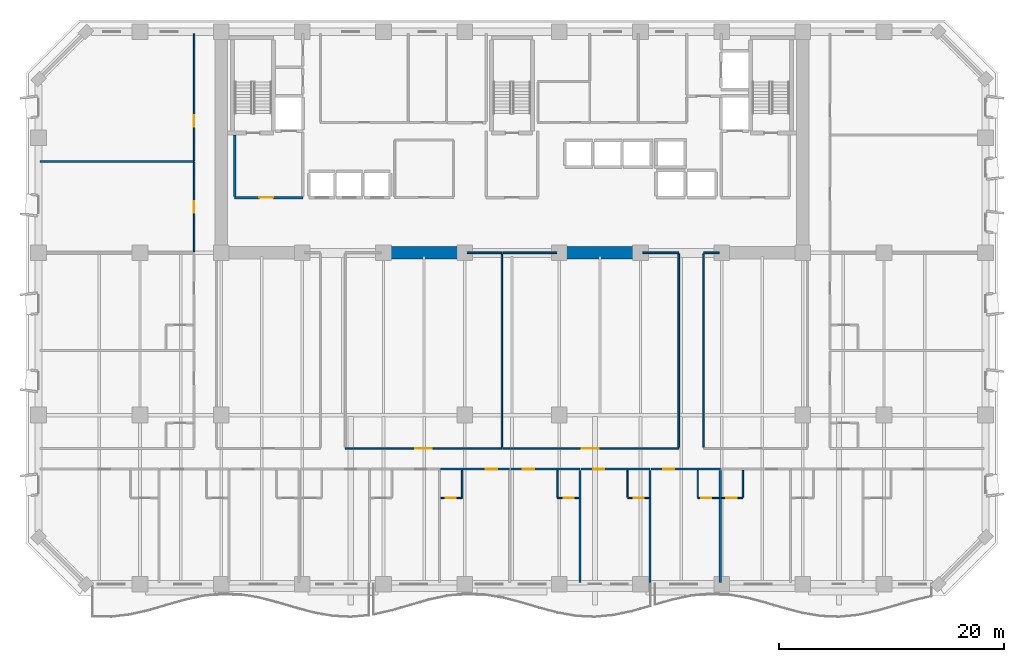
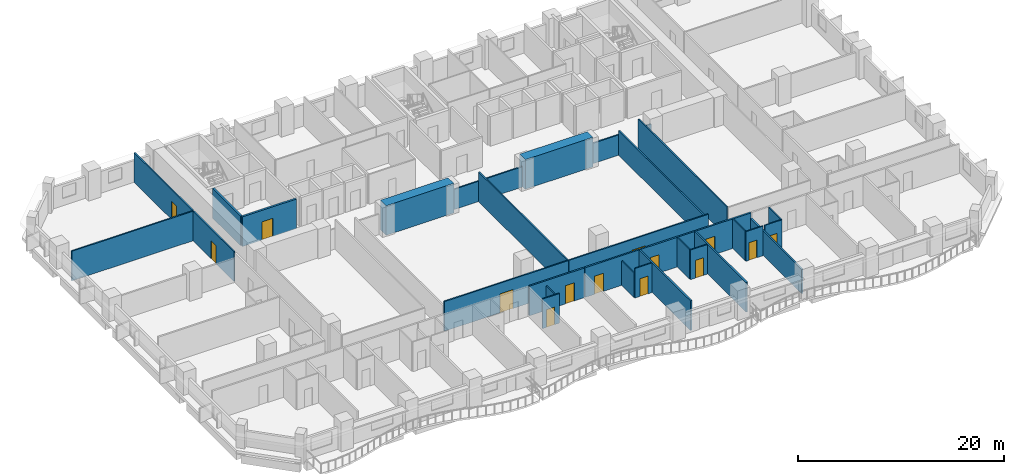
# One storey, part 6 of 15: 33 walls, 14 doors, 14 openings.
"""IFC4 building model written with IfcOpenShell, lengths in metres."""

from ifc_helpers import new_model, si_unit, direction, frame, frame_2d, origin, place, context, subcontext, project, spatial, rectangle, extrude, material, layer, layer_set, type_object, element, fill, save


model = new_model("IFC4")

# Units and contexts
model_context = context("Model", 3, precision=1e-05, world=origin(), true_north=direction((0.0, 1.0)))
body_context = subcontext(model_context, "Body", "Model", "MODEL_VIEW")
ifc_project = project(units=[si_unit("LENGTHUNIT", "METRE"), si_unit("AREAUNIT", "SQUARE_METRE"), si_unit("VOLUMEUNIT", "CUBIC_METRE"), si_unit("PLANEANGLEUNIT", "RADIAN"), si_unit("MASSUNIT", "GRAM", prefix="KILO")], contexts=[model_context])

# Site, building, storey
site_placement = place(None, origin())
site = spatial("IfcSite", under=ifc_project, at=site_placement, CompositionType="ELEMENT")
building_placement = place(site_placement, origin())
building = spatial("IfcBuilding", under=site, at=building_placement, Name="Kaelvorn Grand Hotel", CompositionType="ELEMENT")
storey_placement = place(building_placement, frame((0.0, 0.0, 42.64990234375)))
storey = spatial("IfcBuildingStorey", under=building, at=storey_placement, Name="L08", CompositionType="ELEMENT", Elevation=42.64990234375)

# Walls
ifc_material_1 = material(Name="Concrete C80/95", Category="concrete")
ifc_layer_1 = layer(ifc_material_1, 1.10009765625)
ifc_layer_set_1 = layer_set([ifc_layer_1], Name="Concrete C80/95")
wall_type_1 = type_object("IfcWallType", Name="WL-CORE-1100-C80", PredefinedType="SHEAR", material=ifc_layer_set_1)
for number, where, z_axis, x_axis, name in (
    (1, (30.39990234375, 29.39990234375, 0.0), (0.0, 0.0, 1.0), (1.0, 0.0, 0.0), "L08 Rear-Core Coupled Shear Pier S2"),
    (2, (46.0, 29.39990234375, 0.0), (0.0, 0.0, 1.0), (1.0, 0.0, 0.0), "L08 Rear-Core Coupled Shear Pier S3"),
):
    element("IfcWall", number, at=place(storey_placement, frame(where, z_axis=z_axis, x_axis=x_axis)), inside=storey, type_object=wall_type_1, Name=name, PredefinedType="SHEAR", context=body_context, shape_type="SweptSolid", body=[
        extrude(rectangle(XDim=7.60009765625, YDim=1.10009765625, at=frame_2d((3.800048828125, 0.0))), origin(), (0.0, 0.0, 1.0), 3.510009765625),
    ])

# Wall, opening, door
ifc_material_2 = material(Name="Moisture-Resistant Tile & Stud Board")
ifc_layer_2 = layer(ifc_material_2, 0.125)
ifc_layer_set_2 = layer_set([ifc_layer_2], Name="Moisture-Resistant Tile & Stud Board")
wall_type_2 = type_object("IfcWallType", Name="WL-PART-125-WET", PredefinedType="PARTITIONING", material=ifc_layer_set_2)
wall_1_placement = place(storey_placement, frame((35.669189453125, 7.64990234375, 0.0), z_axis=(0.0, 0.0, 1.0), x_axis=(1.0, 0.0, 0.0)))
wall_1 = element("IfcWall", 3, at=wall_1_placement, inside=storey, type_object=wall_type_2, Name="L08 En-suite Bathroom L08-06 S Partition", PredefinedType="PARTITIONING", context=body_context, shape_type="SweptSolid", body=[
    extrude(rectangle(XDim=1.905029296875, YDim=0.125, at=frame_2d((0.95263671875, 0.0))), origin(), (0.0, 0.0, 1.0), 3.510009765625),
])
opening_1_placement = place(wall_1_placement, frame((0.455078125, 0.0, 0.0)))
opening_1 = element("IfcOpeningElement", 4, at=opening_1_placement, cuts=wall_1, Name="Opening DI4", PredefinedType="OPENING", context=body_context, shape_type="SweptSolid", body=[
    extrude(rectangle(XDim=0.89990234375, YDim=2.10009765625, at=frame_2d((0.449951171875, 1.050048828125))), frame((0.0, 0.072509765625, 0.0), z_axis=(0.0, -1.0, 0.0), x_axis=(1.0, 0.0, 0.0)), (0.0, 0.0, 1.0), 0.14501953125),
])
ifc_material_3 = material(Name="Timber Veneer Leaf", Category="wood")
door_type_1 = type_object("IfcDoorType", Name="DR-INT-BATH-900x2100", OperationType="NOTDEFINED", PredefinedType="DOOR", material=ifc_material_3)
door_1_placement = place(opening_1_placement, origin())
door_1 = element("IfcDoor", 5, at=door_1_placement, inside=storey, type_object=door_type_1, Name="L08 En-suite Bathroom L08-06 Door", OperationType="SINGLE_SWING_RIGHT", OverallHeight=2.10009765625, OverallWidth=0.89990234375, PredefinedType="DOOR", context=body_context, shape_type="SweptSolid", body=[
    extrude(rectangle(XDim=0.89990234375, YDim=2.10009765625, at=frame_2d((0.449951171875, 1.050048828125))), frame((0.0, 0.02490234375, 0.0), z_axis=(0.0, -1.0, 0.0), x_axis=(1.0, 0.0, 0.0)), (0.0, 0.0, 1.0), 0.050048828125),
])
fill(opening_1, door_1)

# Wall
wall_2_placement = place(storey_placement, frame((37.57421875, 7.717529296875, 0.0), z_axis=(0.0, 0.0, 1.0), x_axis=(0.0, 1.0, 0.0)))
element("IfcWall", 6, at=wall_2_placement, inside=storey, type_object=wall_type_2, Name="L08 En-suite Bathroom L08-06 E Partition", PredefinedType="PARTITIONING", context=body_context, shape_type="SweptSolid", body=[
    extrude(rectangle(XDim=2.387451171875, YDim=0.125, at=frame_2d((1.19384765625, 0.0))), origin(), (0.0, 0.0, 1.0), 2.89794921875),
])

# Wall, opening, door
wall_3_placement = place(storey_placement, frame((46.024169921875, 7.64990234375, 0.0), z_axis=(0.0, 0.0, 1.0), x_axis=(1.0, 0.0, 0.0)))
wall_3 = element("IfcWall", 7, at=wall_3_placement, inside=storey, type_object=wall_type_2, Name="L08 En-suite Bathroom L08-07 S Partition", PredefinedType="PARTITIONING", context=body_context, shape_type="SweptSolid", body=[
    extrude(rectangle(XDim=1.905029296875, YDim=0.125, at=frame_2d((0.95263671875, 0.0))), origin(), (0.0, 0.0, 1.0), 3.510009765625),
])
opening_2_placement = place(wall_3_placement, frame((0.550048828125, 0.0, 0.0)))
opening_2 = element("IfcOpeningElement", 8, at=opening_2_placement, cuts=wall_3, Name="Opening DI4", PredefinedType="OPENING", context=body_context, shape_type="SweptSolid", body=[
    extrude(rectangle(XDim=0.89990234375, YDim=2.10009765625, at=frame_2d((0.449951171875, 1.050048828125))), frame((0.0, 0.072509765625, 0.0), z_axis=(0.0, -1.0, 0.0), x_axis=(1.0, 0.0, 0.0)), (0.0, 0.0, 1.0), 0.14501953125),
])
door_2_placement = place(opening_2_placement, origin())
door_2 = element("IfcDoor", 9, at=door_2_placement, inside=storey, type_object=door_type_1, Name="L08 En-suite Bathroom L08-07 Door", OperationType="SINGLE_SWING_RIGHT", OverallHeight=2.10009765625, OverallWidth=0.89990234375, PredefinedType="DOOR", context=body_context, shape_type="SweptSolid", body=[
    extrude(rectangle(XDim=0.89990234375, YDim=2.10009765625, at=frame_2d((0.449951171875, 1.050048828125))), frame((0.0, 0.02490234375, 0.0), z_axis=(0.0, -1.0, 0.0), x_axis=(1.0, 0.0, 0.0)), (0.0, 0.0, 1.0), 0.050048828125),
])
fill(opening_2, door_2)

# Wall
wall_4_placement = place(storey_placement, frame((46.024169921875, 7.717529296875, 0.0), z_axis=(0.0, 0.0, 1.0), x_axis=(0.0, 1.0, 0.0)))
element("IfcWall", 10, at=wall_4_placement, inside=storey, type_object=wall_type_2, Name="L08 En-suite Bathroom L08-07 W Partition", PredefinedType="PARTITIONING", context=body_context, shape_type="SweptSolid", body=[
    extrude(rectangle(XDim=2.387451171875, YDim=0.125, at=frame_2d((1.19384765625, 0.0))), origin(), (0.0, 0.0, 1.0), 2.89794921875),
])

# Wall, opening, door
wall_5_placement = place(storey_placement, frame((52.248779296875, 7.64990234375, 0.0), z_axis=(0.0, 0.0, 1.0), x_axis=(1.0, 0.0, 0.0)))
wall_5 = element("IfcWall", 11, at=wall_5_placement, inside=storey, type_object=wall_type_2, Name="L08 En-suite Bathroom L08-08 S Partition", PredefinedType="PARTITIONING", context=body_context, shape_type="SweptSolid", body=[
    extrude(rectangle(XDim=1.905029296875, YDim=0.125, at=frame_2d((0.95263671875, 0.0))), origin(), (0.0, 0.0, 1.0), 3.510009765625),
])
opening_3_placement = place(wall_5_placement, frame((0.550048828125, 0.0, 0.0)))
opening_3 = element("IfcOpeningElement", 12, at=opening_3_placement, cuts=wall_5, Name="Opening DI4", PredefinedType="OPENING", context=body_context, shape_type="SweptSolid", body=[
    extrude(rectangle(XDim=0.89990234375, YDim=2.10009765625, at=frame_2d((0.449951171875, 1.050048828125))), frame((0.0, 0.072509765625, 0.0), z_axis=(0.0, -1.0, 0.0), x_axis=(1.0, 0.0, 0.0)), (0.0, 0.0, 1.0), 0.14501953125),
])
door_3_placement = place(opening_3_placement, origin())
door_3 = element("IfcDoor", 13, at=door_3_placement, inside=storey, type_object=door_type_1, Name="L08 En-suite Bathroom L08-08 Door", OperationType="SINGLE_SWING_RIGHT", OverallHeight=2.10009765625, OverallWidth=0.89990234375, PredefinedType="DOOR", context=body_context, shape_type="SweptSolid", body=[
    extrude(rectangle(XDim=0.89990234375, YDim=2.10009765625, at=frame_2d((0.449951171875, 1.050048828125))), frame((0.0, 0.02490234375, 0.0), z_axis=(0.0, -1.0, 0.0), x_axis=(1.0, 0.0, 0.0)), (0.0, 0.0, 1.0), 0.050048828125),
])
fill(opening_3, door_3)

# Wall
wall_6_placement = place(storey_placement, frame((52.248779296875, 7.717529296875, 0.0), z_axis=(0.0, 0.0, 1.0), x_axis=(0.0, 1.0, 0.0)))
element("IfcWall", 14, at=wall_6_placement, inside=storey, type_object=wall_type_2, Name="L08 En-suite Bathroom L08-08 W Partition", PredefinedType="PARTITIONING", context=body_context, shape_type="SweptSolid", body=[
    extrude(rectangle(XDim=2.387451171875, YDim=0.125, at=frame_2d((1.19384765625, 0.0))), origin(), (0.0, 0.0, 1.0), 3.510009765625),
])

# Wall, opening, door
wall_7_placement = place(storey_placement, frame((58.473876953125, 7.64990234375, 0.0), z_axis=(0.0, 0.0, 1.0), x_axis=(1.0, 0.0, 0.0)))
wall_7 = element("IfcWall", 15, at=wall_7_placement, inside=storey, type_object=wall_type_2, Name="L08 En-suite Bathroom L08-09 S Partition", PredefinedType="PARTITIONING", context=body_context, shape_type="SweptSolid", body=[
    extrude(rectangle(XDim=1.905029296875, YDim=0.125, at=frame_2d((0.95263671875, 0.0))), origin(), (0.0, 0.0, 1.0), 3.510009765625),
])
opening_4_placement = place(wall_7_placement, frame((0.300048828125, 0.0, 0.0)))
opening_4 = element("IfcOpeningElement", 16, at=opening_4_placement, cuts=wall_7, Name="Opening DI4", PredefinedType="OPENING", context=body_context, shape_type="SweptSolid", body=[
    extrude(rectangle(XDim=0.89990234375, YDim=2.10009765625, at=frame_2d((0.449951171875, 1.050048828125))), frame((0.0, 0.072509765625, 0.0), z_axis=(0.0, -1.0, 0.0), x_axis=(1.0, 0.0, 0.0)), (0.0, 0.0, 1.0), 0.14501953125),
])
door_4_placement = place(opening_4_placement, origin())
door_4 = element("IfcDoor", 17, at=door_4_placement, inside=storey, type_object=door_type_1, Name="L08 En-suite Bathroom L08-09 Door", OperationType="SINGLE_SWING_RIGHT", OverallHeight=2.10009765625, OverallWidth=0.89990234375, PredefinedType="DOOR", context=body_context, shape_type="SweptSolid", body=[
    extrude(rectangle(XDim=0.89990234375, YDim=2.10009765625, at=frame_2d((0.449951171875, 1.050048828125))), frame((0.0, 0.02490234375, 0.0), z_axis=(0.0, -1.0, 0.0), x_axis=(1.0, 0.0, 0.0)), (0.0, 0.0, 1.0), 0.050048828125),
])
fill(opening_4, door_4)

# Wall
wall_8_placement = place(storey_placement, frame((58.473876953125, 7.717529296875, 0.0), z_axis=(0.0, 0.0, 1.0), x_axis=(0.0, 1.0, 0.0)))
element("IfcWall", 18, at=wall_8_placement, inside=storey, type_object=wall_type_2, Name="L08 En-suite Bathroom L08-09 W Partition", PredefinedType="PARTITIONING", context=body_context, shape_type="SweptSolid", body=[
    extrude(rectangle(XDim=2.387451171875, YDim=0.125, at=frame_2d((1.19384765625, 0.0))), origin(), (0.0, 0.0, 1.0), 3.510009765625),
])

# Wall, opening, door
wall_9_placement = place(storey_placement, frame((60.56884765625, 7.64990234375, 0.0), z_axis=(0.0, 0.0, 1.0), x_axis=(1.0, 0.0, 0.0)))
wall_9 = element("IfcWall", 19, at=wall_9_placement, inside=storey, type_object=wall_type_2, Name="L08 En-suite Bathroom L08-10 S Partition", PredefinedType="PARTITIONING", context=body_context, shape_type="SweptSolid", body=[
    extrude(rectangle(XDim=1.905029296875, YDim=0.125, at=frame_2d((0.95263671875, 0.0))), origin(), (0.0, 0.0, 1.0), 3.510009765625),
])
opening_5_placement = place(wall_9_placement, frame((0.455078125, 0.0, 0.0)))
opening_5 = element("IfcOpeningElement", 20, at=opening_5_placement, cuts=wall_9, Name="Opening DI4", PredefinedType="OPENING", context=body_context, shape_type="SweptSolid", body=[
    extrude(rectangle(XDim=0.89990234375, YDim=2.10009765625, at=frame_2d((0.449951171875, 1.050048828125))), frame((0.0, 0.072509765625, 0.0), z_axis=(0.0, -1.0, 0.0), x_axis=(1.0, 0.0, 0.0)), (0.0, 0.0, 1.0), 0.14501953125),
])
door_5_placement = place(opening_5_placement, origin())
door_5 = element("IfcDoor", 21, at=door_5_placement, inside=storey, type_object=door_type_1, Name="L08 En-suite Bathroom L08-10 Door", OperationType="SINGLE_SWING_RIGHT", OverallHeight=2.10009765625, OverallWidth=0.89990234375, PredefinedType="DOOR", context=body_context, shape_type="SweptSolid", body=[
    extrude(rectangle(XDim=0.89990234375, YDim=2.10009765625, at=frame_2d((0.449951171875, 1.050048828125))), frame((0.0, 0.02490234375, 0.0), z_axis=(0.0, -1.0, 0.0), x_axis=(1.0, 0.0, 0.0)), (0.0, 0.0, 1.0), 0.050048828125),
])
fill(opening_5, door_5)

# Wall
wall_10_placement = place(storey_placement, frame((62.473876953125, 7.717529296875, 0.0), z_axis=(0.0, 0.0, 1.0), x_axis=(0.0, 1.0, 0.0)))
element("IfcWall", 22, at=wall_10_placement, inside=storey, type_object=wall_type_2, Name="L08 En-suite Bathroom L08-10 E Partition", PredefinedType="PARTITIONING", context=body_context, shape_type="SweptSolid", body=[
    extrude(rectangle(XDim=2.387451171875, YDim=0.125, at=frame_2d((1.19384765625, 0.0))), origin(), (0.0, 0.0, 1.0), 3.510009765625),
])

# Wall, opening, door
ifc_material_4 = material(Name="Acoustic Gypsum & Stud Partition")
ifc_layer_3 = layer(ifc_material_4, 0.14990234375)
ifc_layer_set_3 = layer_set([ifc_layer_3], Name="Acoustic Gypsum & Stud Partition")
wall_type_3 = type_object("IfcWallType", Name="WL-PART-150-EI60", PredefinedType="PARTITIONING", material=ifc_layer_set_3)
wall_11_placement = place(storey_placement, frame((27.199951171875, 12.050048828125, 0.0), z_axis=(0.0, 0.0, 1.0), x_axis=(1.0, 0.0, 0.0)))
wall_11 = element("IfcWall", 23, at=wall_11_placement, inside=storey, type_object=wall_type_3, Name="L08 Hospitality Tea Kitchen S Partition", PredefinedType="PARTITIONING", context=body_context, shape_type="SweptSolid", body=[
    extrude(rectangle(XDim=13.900146484375, YDim=0.14990234375, at=frame_2d((6.9501953125, 0.0))), origin(), (0.0, 0.0, 1.0), 3.510009765625),
])
opening_6_placement = place(wall_11_placement, frame((6.199951171875, 0.0, 0.0)))
opening_6 = element("IfcOpeningElement", 24, at=opening_6_placement, cuts=wall_11, Name="Opening DI5", PredefinedType="OPENING", context=body_context, shape_type="SweptSolid", body=[
    extrude(rectangle(XDim=1.5, YDim=2.25, at=frame_2d((0.75, 1.125))), frame((0.0, 0.0849609375, 0.0), z_axis=(0.0, -1.0, 0.0), x_axis=(1.0, 0.0, 0.0)), (0.0, 0.0, 1.0), 0.169921875),
])
ifc_material_5 = material(Name="Timber Veneer Fire Leaf", Category="wood")
door_type_2 = type_object("IfcDoorType", Name="DR-INT-SALON-1500x2250", OperationType="DOUBLE_DOOR_SINGLE_SWING", PredefinedType="DOOR", material=ifc_material_5)
door_6_placement = place(opening_6_placement, origin())
door_6 = element("IfcDoor", 25, at=door_6_placement, inside=storey, type_object=door_type_2, Name="L08 Hospitality Tea Kitchen Door", OperationType="DOUBLE_DOOR_SINGLE_SWING", OverallHeight=2.25, OverallWidth=1.5, PredefinedType="DOOR", context=body_context, shape_type="SweptSolid", body=[
    extrude(rectangle(XDim=1.5, YDim=2.25, at=frame_2d((0.75, 1.125))), frame((0.0, 0.02490234375, 0.0), z_axis=(0.0, -1.0, 0.0), x_axis=(1.0, 0.0, 0.0)), (0.0, 0.0, 1.0), 0.050048828125),
])
fill(opening_6, door_6)

# Walls
wall_12_placement = place(storey_placement, frame((38.010009765625, 29.39990234375, 0.0), z_axis=(0.0, 0.0, 1.0), x_axis=(1.0, 0.0, 0.0)))
element("IfcWall", 26, at=wall_12_placement, inside=storey, type_object=wall_type_3, Name="L08 Hospitality Tea Kitchen N Partition (2)", PredefinedType="PARTITIONING", context=body_context, shape_type="SweptSolid", body=[
    extrude(rectangle(XDim=3.090087890625, YDim=0.14990234375, at=frame_2d((1.544921875, 0.0))), origin(), (0.0, 0.0, 1.0), 2.41015625),
])
wall_13_placement = place(storey_placement, frame((41.10009765625, 12.1298828125, 0.0), z_axis=(0.0, 0.0, 1.0), x_axis=(0.0, 1.0, 0.0)))
element("IfcWall", 27, at=wall_13_placement, inside=storey, type_object=wall_type_3, Name="L08 Hospitality Tea Kitchen E Partition", PredefinedType="PARTITIONING", context=body_context, shape_type="SweptSolid", body=[
    extrude(rectangle(XDim=17.190185546875, YDim=0.14990234375, at=frame_2d((8.59521484375, 0.0))), origin(), (0.0, 0.0, 1.0), 3.510009765625),
])

# Wall, opening, door
wall_14_placement = place(storey_placement, frame((41.179931640625, 12.050048828125, 0.0), z_axis=(0.0, 0.0, 1.0), x_axis=(1.0, 0.0, 0.0)))
wall_14 = element("IfcWall", 28, at=wall_14_placement, inside=storey, type_object=wall_type_3, Name="L08 Executive Study Office S Partition", PredefinedType="PARTITIONING", context=body_context, shape_type="SweptSolid", body=[
    extrude(rectangle(XDim=15.6201171875, YDim=0.14990234375, at=frame_2d((7.81005859375, 0.0))), origin(), (0.0, 0.0, 1.0), 3.510009765625),
])
opening_7_placement = place(wall_14_placement, frame((7.02001953125, 0.0, 0.0)))
opening_7 = element("IfcOpeningElement", 29, at=opening_7_placement, cuts=wall_14, Name="Opening DI5", PredefinedType="OPENING", context=body_context, shape_type="SweptSolid", body=[
    extrude(rectangle(XDim=1.5, YDim=2.25, at=frame_2d((0.75, 1.125))), frame((0.0, 0.0849609375, 0.0), z_axis=(0.0, -1.0, 0.0), x_axis=(1.0, 0.0, 0.0)), (0.0, 0.0, 1.0), 0.169921875),
])
door_7_placement = place(opening_7_placement, origin())
door_7 = element("IfcDoor", 30, at=door_7_placement, inside=storey, type_object=door_type_2, Name="L08 Executive Study Office Door", OperationType="DOUBLE_DOOR_SINGLE_SWING", OverallHeight=2.25, OverallWidth=1.5, PredefinedType="DOOR", context=body_context, shape_type="SweptSolid", body=[
    extrude(rectangle(XDim=1.5, YDim=2.25, at=frame_2d((0.75, 1.125))), frame((0.0, 0.02490234375, 0.0), z_axis=(0.0, -1.0, 0.0), x_axis=(1.0, 0.0, 0.0)), (0.0, 0.0, 1.0), 0.050048828125),
])
fill(opening_7, door_7)

# Walls
wall_15_placement = place(storey_placement, frame((41.179931640625, 29.39990234375, 0.0), z_axis=(0.0, 0.0, 1.0), x_axis=(1.0, 0.0, 0.0)))
element("IfcWall", 31, at=wall_15_placement, inside=storey, type_object=wall_type_3, Name="L08 Executive Study Office N Partition (1)", PredefinedType="PARTITIONING", context=body_context, shape_type="SweptSolid", body=[
    extrude(rectangle(XDim=4.81005859375, YDim=0.14990234375, at=frame_2d((2.405029296875, 0.0))), origin(), (0.0, 0.0, 1.0), 2.41015625),
])
wall_16_placement = place(storey_placement, frame((53.610107421875, 29.39990234375, 0.0), z_axis=(0.0, 0.0, 1.0), x_axis=(1.0, 0.0, 0.0)))
element("IfcWall", 32, at=wall_16_placement, inside=storey, type_object=wall_type_3, Name="L08 Executive Study Office N Partition (2)", PredefinedType="PARTITIONING", context=body_context, shape_type="SweptSolid", body=[
    extrude(rectangle(XDim=3.18994140625, YDim=0.14990234375, at=frame_2d((1.594970703125, 0.0))), origin(), (0.0, 0.0, 1.0), 2.41015625),
])
wall_17_placement = place(storey_placement, frame((56.800048828125, 12.1298828125, 0.0), z_axis=(0.0, 0.0, 1.0), x_axis=(0.0, 1.0, 0.0)))
element("IfcWall", 33, at=wall_17_placement, inside=storey, type_object=wall_type_3, Name="L08 Executive Study Office E Partition", PredefinedType="PARTITIONING", context=body_context, shape_type="SweptSolid", body=[
    extrude(rectangle(XDim=17.190185546875, YDim=0.14990234375, at=frame_2d((8.59521484375, 0.0))), origin(), (0.0, 0.0, 1.0), 2.89794921875),
])
wall_18_placement = place(storey_placement, frame((59.0, 29.39990234375, 0.0), z_axis=(0.0, 0.0, 1.0), x_axis=(1.0, 0.0, 0.0)))
element("IfcWall", 34, at=wall_18_placement, inside=storey, type_object=wall_type_3, Name="L08 Wellness Fitness Gym N Partition", PredefinedType="PARTITIONING", context=body_context, shape_type="SweptSolid", body=[
    extrude(rectangle(XDim=1.389892578125, YDim=0.14990234375, at=frame_2d((0.69482421875, 0.0))), origin(), (0.0, 0.0, 1.0), 2.41015625),
])
wall_19_placement = place(storey_placement, frame((59.0, 12.1298828125, 0.0), z_axis=(0.0, 0.0, 1.0), x_axis=(0.0, 1.0, 0.0)))
element("IfcWall", 35, at=wall_19_placement, inside=storey, type_object=wall_type_3, Name="L08 Wellness Fitness Gym W Partition", PredefinedType="PARTITIONING", context=body_context, shape_type="SweptSolid", body=[
    extrude(rectangle(XDim=17.190185546875, YDim=0.14990234375, at=frame_2d((8.59521484375, 0.0))), origin(), (0.0, 0.0, 1.0), 3.510009765625),
])
wall_20_placement = place(storey_placement, frame((0.14990234375, 37.5, 0.0), z_axis=(0.0, 0.0, 1.0), x_axis=(1.0, 0.0, 0.0)))
element("IfcWall", 36, at=wall_20_placement, inside=storey, type_object=wall_type_3, Name="L08 North-West Private Dining Restaurant N Partition", PredefinedType="PARTITIONING", context=body_context, shape_type="SweptSolid", body=[
    extrude(rectangle(XDim=13.650146484375, YDim=0.14990234375, at=frame_2d((6.8251953125, 0.0))), origin(), (0.0, 0.0, 1.0), 3.510009765625),
])

# Wall, opening, door
wall_21_placement = place(storey_placement, frame((13.800048828125, 29.4951171875, 0.0), z_axis=(0.0, 0.0, 1.0), x_axis=(0.0, 1.0, 0.0)))
wall_21 = element("IfcWall", 37, at=wall_21_placement, inside=storey, type_object=wall_type_3, Name="L08 North-West Private Dining Restaurant E Partition", PredefinedType="PARTITIONING", context=body_context, shape_type="SweptSolid", body=[
    extrude(rectangle(XDim=7.9248046875, YDim=0.14990234375, at=frame_2d((3.96240234375, 0.0))), origin(), (0.0, 0.0, 1.0), 3.510009765625),
])
opening_8_placement = place(wall_21_placement, frame((3.455078125, 0.0, 0.0)))
opening_8 = element("IfcOpeningElement", 38, at=opening_8_placement, cuts=wall_21, Name="Opening DI3", PredefinedType="OPENING", context=body_context, shape_type="SweptSolid", body=[
    extrude(rectangle(XDim=1.0, YDim=2.14990234375, at=frame_2d((0.5, 1.074951171875))), frame((0.0, 0.0849609375, 0.0), z_axis=(0.0, -1.0, 0.0), x_axis=(1.0, 0.0, 0.0)), (0.0, 0.0, 1.0), 0.169921875),
])
door_type_3 = type_object("IfcDoorType", Name="DR-INT-GUEST-1000x2150", OperationType="NOTDEFINED", PredefinedType="DOOR", material=ifc_material_5)
door_8_placement = place(opening_8_placement, origin())
door_8 = element("IfcDoor", 39, at=door_8_placement, inside=storey, type_object=door_type_3, Name="L08 North-West Private Dining Restaurant Door", OperationType="SINGLE_SWING_LEFT", OverallHeight=2.14990234375, OverallWidth=1.0, PredefinedType="DOOR", context=body_context, shape_type="SweptSolid", body=[
    extrude(rectangle(XDim=1.0, YDim=2.14990234375, at=frame_2d((0.5, 1.074951171875))), frame((0.0, 0.02490234375, 0.0), z_axis=(0.0, -1.0, 0.0), x_axis=(1.0, 0.0, 0.0)), (0.0, 0.0, 1.0), 0.050048828125),
])
fill(opening_8, door_8)

wall_22_placement = place(storey_placement, frame((13.800048828125, 37.580078125, 0.0), z_axis=(0.0, 0.0, 1.0), x_axis=(0.0, 1.0, 0.0)))
wall_22 = element("IfcWall", 40, at=wall_22_placement, inside=storey, type_object=wall_type_3, Name="L08 North-West Hospitality Tea Kitchen E Partition", PredefinedType="PARTITIONING", context=body_context, shape_type="SweptSolid", body=[
    extrude(rectangle(XDim=11.27001953125, YDim=0.14990234375, at=frame_2d((5.635009765625, 0.0))), origin(), (0.0, 0.0, 1.0), 3.510009765625),
])
opening_9_placement = place(wall_22_placement, frame((3.02001953125, 0.0, 0.0)))
opening_9 = element("IfcOpeningElement", 41, at=opening_9_placement, cuts=wall_22, Name="Opening DI3", PredefinedType="OPENING", context=body_context, shape_type="SweptSolid", body=[
    extrude(rectangle(XDim=1.0, YDim=2.14990234375, at=frame_2d((0.5, 1.074951171875))), frame((0.0, 0.0849609375, 0.0), z_axis=(0.0, -1.0, 0.0), x_axis=(1.0, 0.0, 0.0)), (0.0, 0.0, 1.0), 0.169921875),
])
door_9_placement = place(opening_9_placement, origin())
door_9 = element("IfcDoor", 42, at=door_9_placement, inside=storey, type_object=door_type_3, Name="L08 North-West Hospitality Tea Kitchen Door", OperationType="SINGLE_SWING_RIGHT", OverallHeight=2.14990234375, OverallWidth=1.0, PredefinedType="DOOR", context=body_context, shape_type="SweptSolid", body=[
    extrude(rectangle(XDim=1.0, YDim=2.14990234375, at=frame_2d((0.5, 1.074951171875))), frame((0.0, 0.02490234375, 0.0), z_axis=(0.0, -1.0, 0.0), x_axis=(1.0, 0.0, 0.0)), (0.0, 0.0, 1.0), 0.050048828125),
])
fill(opening_9, door_9)

ifc_layer_4 = layer(ifc_material_4, 0.179931640625)
ifc_layer_set_4 = layer_set([ifc_layer_4], Name="Acoustic Gypsum & Stud Partition")
wall_type_4 = type_object("IfcWallType", Name="WL-PART-180-EI60", PredefinedType="PARTITIONING", material=ifc_layer_set_4)
wall_23_placement = place(storey_placement, frame((35.669189453125, 10.199951171875, 0.0), z_axis=(0.0, 0.0, 1.0), x_axis=(1.0, 0.0, 0.0)))
wall_23 = element("IfcWall", 43, at=wall_23_placement, inside=storey, type_object=wall_type_4, Name="L08 Deluxe King Guest Room L08-06 N Partition", PredefinedType="PARTITIONING", context=body_context, shape_type="SweptSolid", body=[
    extrude(rectangle(XDim=6.130126953125, YDim=0.179931640625, at=frame_2d((3.06494140625, 0.0))), origin(), (0.0, 0.0, 1.0), 3.510009765625),
])
opening_10_placement = place(wall_23_placement, frame((4.020263671875, 0.0, 0.0)))
opening_10 = element("IfcOpeningElement", 44, at=opening_10_placement, cuts=wall_23, Name="Opening DI3", PredefinedType="OPENING", context=body_context, shape_type="SweptSolid", body=[
    extrude(rectangle(XDim=1.0, YDim=2.14990234375, at=frame_2d((0.5, 1.074951171875))), frame((0.0, 0.10009765625, 0.0), z_axis=(0.0, -1.0, 0.0), x_axis=(1.0, 0.0, 0.0)), (0.0, 0.0, 1.0), 0.199951171875),
])
door_10_placement = place(opening_10_placement, origin())
door_10 = element("IfcDoor", 45, at=door_10_placement, inside=storey, type_object=door_type_3, Name="L08 Deluxe King Guest Room L08-06 Door", OperationType="SINGLE_SWING_LEFT", OverallHeight=2.14990234375, OverallWidth=1.0, PredefinedType="DOOR", context=body_context, shape_type="SweptSolid", body=[
    extrude(rectangle(XDim=1.0, YDim=2.14990234375, at=frame_2d((0.5, 1.074951171875))), frame((0.0, 0.02490234375, 0.0), z_axis=(0.0, -1.0, 0.0), x_axis=(1.0, 0.0, 0.0)), (0.0, 0.0, 1.0), 0.050048828125),
])
fill(opening_10, door_10)

wall_24_placement = place(storey_placement, frame((41.894287109375, 10.199951171875, 0.0), z_axis=(0.0, 0.0, 1.0), x_axis=(1.0, 0.0, 0.0)))
wall_24 = element("IfcWall", 46, at=wall_24_placement, inside=storey, type_object=wall_type_4, Name="L08 Deluxe Panoramic Suite L08-07 N Partition", PredefinedType="PARTITIONING", context=body_context, shape_type="SweptSolid", body=[
    extrude(rectangle(XDim=6.1298828125, YDim=0.179931640625, at=frame_2d((3.06494140625, 0.0))), origin(), (0.0, 0.0, 1.0), 3.510009765625),
])
opening_11_placement = place(wall_24_placement, frame((1.0673828125, 0.0, 0.0)))
opening_11 = element("IfcOpeningElement", 47, at=opening_11_placement, cuts=wall_24, Name="Opening DI3", PredefinedType="OPENING", context=body_context, shape_type="SweptSolid", body=[
    extrude(rectangle(XDim=1.0, YDim=2.14990234375, at=frame_2d((0.5, 1.074951171875))), frame((0.0, 0.10009765625, 0.0), z_axis=(0.0, -1.0, 0.0), x_axis=(1.0, 0.0, 0.0)), (0.0, 0.0, 1.0), 0.199951171875),
])
door_11_placement = place(opening_11_placement, origin())
door_11 = element("IfcDoor", 48, at=door_11_placement, inside=storey, type_object=door_type_3, Name="L08 Deluxe Panoramic Suite L08-07 Door", OperationType="SINGLE_SWING_LEFT", OverallHeight=2.14990234375, OverallWidth=1.0, PredefinedType="DOOR", context=body_context, shape_type="SweptSolid", body=[
    extrude(rectangle(XDim=1.0, YDim=2.14990234375, at=frame_2d((0.5, 1.074951171875))), frame((0.0, 0.02490234375, 0.0), z_axis=(0.0, -1.0, 0.0), x_axis=(1.0, 0.0, 0.0)), (0.0, 0.0, 1.0), 0.050048828125),
])
fill(opening_11, door_11)

# Wall
wall_25_placement = place(storey_placement, frame((48.024169921875, 0.14990234375, 0.0), z_axis=(0.0, 0.0, 1.0), x_axis=(0.0, 1.0, 0.0)))
element("IfcWall", 49, at=wall_25_placement, inside=storey, type_object=wall_type_4, Name="L08 Deluxe Panoramic Suite L08-07 E Partition", PredefinedType="PARTITIONING", context=body_context, shape_type="SweptSolid", body=[
    extrude(rectangle(XDim=9.955078125, YDim=0.179931640625, at=frame_2d((4.9775390625, 0.0))), origin(), (0.0, 0.0, 1.0), 3.510009765625),
])

# Wall, opening, door
wall_26_placement = place(storey_placement, frame((48.119140625, 10.199951171875, 0.0), z_axis=(0.0, 0.0, 1.0), x_axis=(1.0, 0.0, 0.0)))
wall_26 = element("IfcWall", 50, at=wall_26_placement, inside=storey, type_object=wall_type_4, Name="L08 Deluxe King Guest Room L08-08 N Partition", PredefinedType="PARTITIONING", context=body_context, shape_type="SweptSolid", body=[
    extrude(rectangle(XDim=6.129638671875, YDim=0.179931640625, at=frame_2d((3.06494140625, 0.0))), origin(), (0.0, 0.0, 1.0), 3.510009765625),
])
opening_12_placement = place(wall_26_placement, frame((1.0673828125, 0.0, 0.0)))
opening_12 = element("IfcOpeningElement", 51, at=opening_12_placement, cuts=wall_26, Name="Opening DI3", PredefinedType="OPENING", context=body_context, shape_type="SweptSolid", body=[
    extrude(rectangle(XDim=1.0, YDim=2.14990234375, at=frame_2d((0.5, 1.074951171875))), frame((0.0, 0.10009765625, 0.0), z_axis=(0.0, -1.0, 0.0), x_axis=(1.0, 0.0, 0.0)), (0.0, 0.0, 1.0), 0.199951171875),
])
door_12_placement = place(opening_12_placement, origin())
door_12 = element("IfcDoor", 52, at=door_12_placement, inside=storey, type_object=door_type_3, Name="L08 Deluxe King Guest Room L08-08 Door", OperationType="SINGLE_SWING_LEFT", OverallHeight=2.14990234375, OverallWidth=1.0, PredefinedType="DOOR", context=body_context, shape_type="SweptSolid", body=[
    extrude(rectangle(XDim=1.0, YDim=2.14990234375, at=frame_2d((0.5, 1.074951171875))), frame((0.0, 0.02490234375, 0.0), z_axis=(0.0, -1.0, 0.0), x_axis=(1.0, 0.0, 0.0)), (0.0, 0.0, 1.0), 0.050048828125),
])
fill(opening_12, door_12)

# Wall
wall_27_placement = place(storey_placement, frame((54.248779296875, 0.14990234375, 0.0), z_axis=(0.0, 0.0, 1.0), x_axis=(0.0, 1.0, 0.0)))
element("IfcWall", 53, at=wall_27_placement, inside=storey, type_object=wall_type_4, Name="L08 Deluxe King Guest Room L08-08 E Partition", PredefinedType="PARTITIONING", context=body_context, shape_type="SweptSolid", body=[
    extrude(rectangle(XDim=9.955078125, YDim=0.179931640625, at=frame_2d((4.9775390625, 0.0))), origin(), (0.0, 0.0, 1.0), 3.510009765625),
])

# Wall, opening, door
wall_28_placement = place(storey_placement, frame((54.343994140625, 10.199951171875, 0.0), z_axis=(0.0, 0.0, 1.0), x_axis=(1.0, 0.0, 0.0)))
wall_28 = element("IfcWall", 54, at=wall_28_placement, inside=storey, type_object=wall_type_4, Name="L08 Deluxe Panoramic Suite L08-09 N Partition", PredefinedType="PARTITIONING", context=body_context, shape_type="SweptSolid", body=[
    extrude(rectangle(XDim=6.1298828125, YDim=0.179931640625, at=frame_2d((3.06494140625, 0.0))), origin(), (0.0, 0.0, 1.0), 3.510009765625),
])
opening_13_placement = place(wall_28_placement, frame((1.0673828125, 0.0, 0.0)))
opening_13 = element("IfcOpeningElement", 55, at=opening_13_placement, cuts=wall_28, Name="Opening DI3", PredefinedType="OPENING", context=body_context, shape_type="SweptSolid", body=[
    extrude(rectangle(XDim=1.0, YDim=2.14990234375, at=frame_2d((0.5, 1.074951171875))), frame((0.0, 0.10009765625, 0.0), z_axis=(0.0, -1.0, 0.0), x_axis=(1.0, 0.0, 0.0)), (0.0, 0.0, 1.0), 0.199951171875),
])
door_13_placement = place(opening_13_placement, origin())
door_13 = element("IfcDoor", 56, at=door_13_placement, inside=storey, type_object=door_type_3, Name="L08 Deluxe Panoramic Suite L08-09 Door", OperationType="SINGLE_SWING_LEFT", OverallHeight=2.14990234375, OverallWidth=1.0, PredefinedType="DOOR", context=body_context, shape_type="SweptSolid", body=[
    extrude(rectangle(XDim=1.0, YDim=2.14990234375, at=frame_2d((0.5, 1.074951171875))), frame((0.0, 0.02490234375, 0.0), z_axis=(0.0, -1.0, 0.0), x_axis=(1.0, 0.0, 0.0)), (0.0, 0.0, 1.0), 0.050048828125),
])
fill(opening_13, door_13)

# Wall
wall_29_placement = place(storey_placement, frame((60.473876953125, 0.14990234375, 0.0), z_axis=(0.0, 0.0, 1.0), x_axis=(0.0, 1.0, 0.0)))
element("IfcWall", 57, at=wall_29_placement, inside=storey, type_object=wall_type_4, Name="L08 Deluxe Panoramic Suite L08-09 E Partition", PredefinedType="PARTITIONING", context=body_context, shape_type="SweptSolid", body=[
    extrude(rectangle(XDim=9.955078125, YDim=0.179931640625, at=frame_2d((4.9775390625, 0.0))), origin(), (0.0, 0.0, 1.0), 2.89794921875),
])

# Wall, opening, door
ifc_material_6 = material(Name="Concrete C40/50", Category="concrete")
ifc_layer_5 = layer(ifc_material_6, 0.219970703125)
ifc_layer_set_5 = layer_set([ifc_layer_5], Name="Concrete C40/50")
wall_type_5 = type_object("IfcWallType", Name="WL-PART-220-EI120", PredefinedType="PARTITIONING", material=ifc_layer_set_5)
wall_30_placement = place(storey_placement, frame((17.39990234375, 34.300048828125, 0.0), z_axis=(0.0, 0.0, 1.0), x_axis=(1.0, 0.0, 0.0)))
wall_30 = element("IfcWall", 58, at=wall_30_placement, inside=storey, type_object=wall_type_5, Name="L08 Firefighting Lift Lobby 1 S Partition", PredefinedType="PARTITIONING", context=body_context, shape_type="SweptSolid", body=[
    extrude(rectangle(XDim=6.050048828125, YDim=0.219970703125, at=frame_2d((3.02490234375, 0.0))), origin(), (0.0, 0.0, 1.0), 3.510009765625),
])
opening_14_placement = place(wall_30_placement, frame((2.199951171875, 0.0, 0.0)))
opening_14 = element("IfcOpeningElement", 59, at=opening_14_placement, cuts=wall_30, Name="Opening DI2", PredefinedType="OPENING", context=body_context, shape_type="SweptSolid", body=[
    extrude(rectangle(XDim=1.199951171875, YDim=2.14990234375, at=frame_2d((0.60009765625, 1.074951171875))), frame((0.0, 0.1201171875, 0.0), z_axis=(0.0, -1.0, 0.0), x_axis=(1.0, 0.0, 0.0)), (0.0, 0.0, 1.0), 0.239990234375),
])
door_type_4 = type_object("IfcDoorType", Name="DR-INT-FFLOB-1200x2150", OperationType="NOTDEFINED", PredefinedType="DOOR", material=ifc_material_5)
door_14_placement = place(opening_14_placement, origin())
door_14 = element("IfcDoor", 60, at=door_14_placement, inside=storey, type_object=door_type_4, Name="L08 Firefighting Lift Lobby 1 Door", OperationType="SINGLE_SWING_RIGHT", OverallHeight=2.14990234375, OverallWidth=1.199951171875, PredefinedType="DOOR", context=body_context, shape_type="SweptSolid", body=[
    extrude(rectangle(XDim=1.199951171875, YDim=2.14990234375, at=frame_2d((0.60009765625, 1.074951171875))), frame((0.0, 0.02490234375, 0.0), z_axis=(0.0, -1.0, 0.0), x_axis=(1.0, 0.0, 0.0)), (0.0, 0.0, 1.0), 0.050048828125),
])
fill(opening_14, door_14)

# Wall
wall_31_placement = place(storey_placement, frame((17.39990234375, 34.4150390625, 0.0), z_axis=(0.0, 0.0, 1.0), x_axis=(0.0, 1.0, 0.0)))
element("IfcWall", 61, at=wall_31_placement, inside=storey, type_object=wall_type_5, Name="L08 Firefighting Lift Lobby 1 W Partition", PredefinedType="PARTITIONING", context=body_context, shape_type="SweptSolid", body=[
    extrude(rectangle(XDim=5.429931640625, YDim=0.219970703125, at=frame_2d((2.71484375, 0.0))), origin(), (0.0, 0.0, 1.0), 3.510009765625),
])

save(model, "model.ifc")
